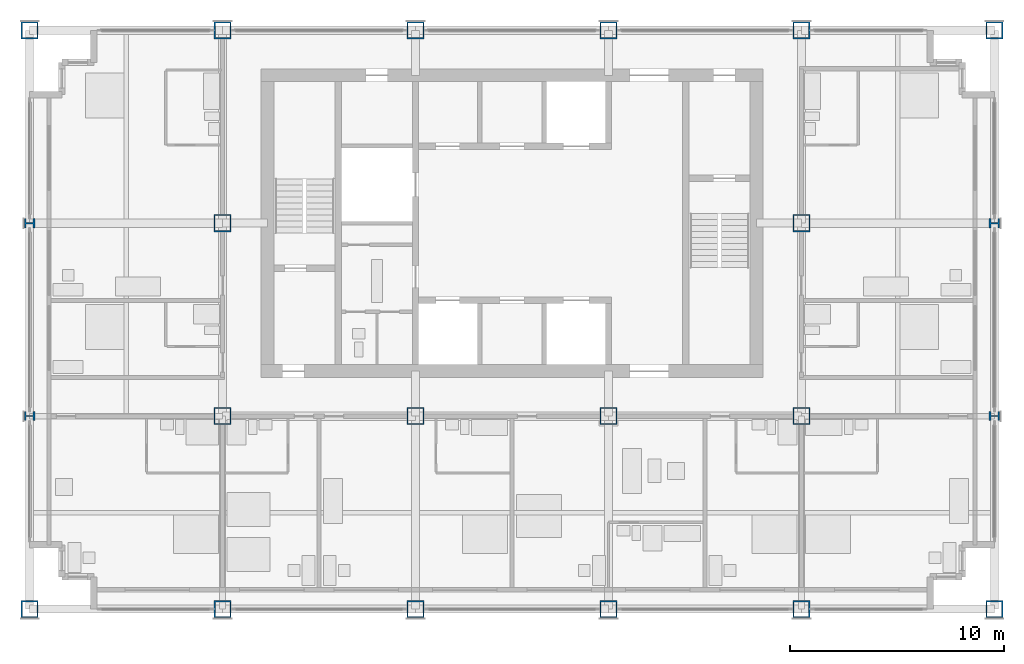
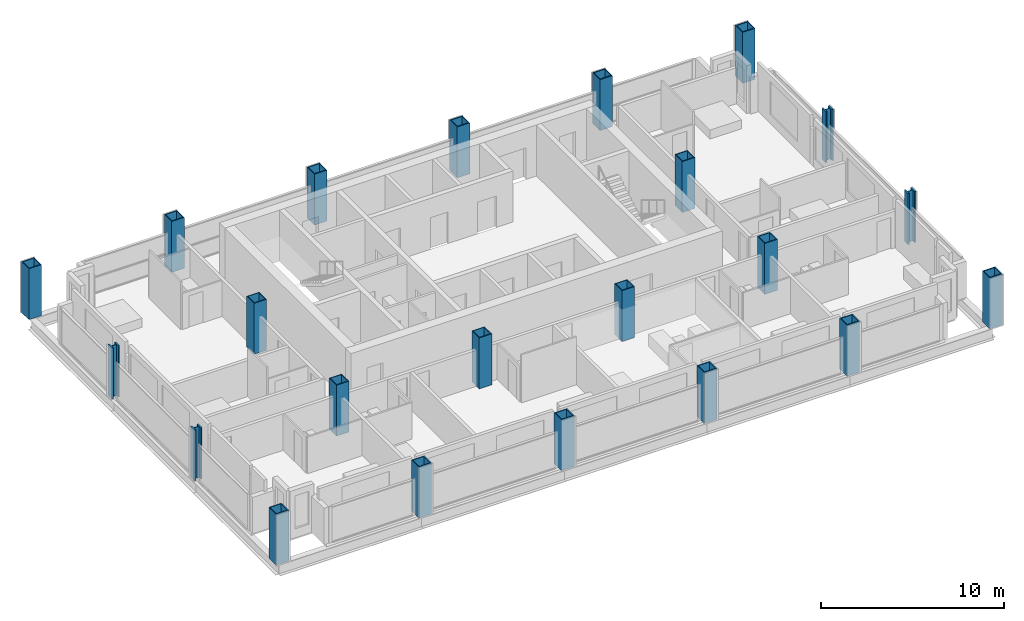
# One storey, part 1 of 13: 22 columns.
"""IFC4 building model written with IfcOpenShell, lengths in metres."""

from ifc_helpers import new_model, si_unit, direction, frame, origin, origin_2d, place, context, subcontext, project, spatial, hollow_rectangle, i_section, extrude, material, material_profile, profile_set, type_object, element, save


model = new_model("IFC4")

# Units and contexts
model_context = context("Model", 3, precision=1e-05, world=origin(), true_north=direction((0.0, 1.0)))
body_context = subcontext(model_context, "Body", "Model", "MODEL_VIEW")
ifc_project = project(units=[si_unit("LENGTHUNIT", "METRE"), si_unit("AREAUNIT", "SQUARE_METRE"), si_unit("VOLUMEUNIT", "CUBIC_METRE"), si_unit("PLANEANGLEUNIT", "RADIAN"), si_unit("MASSUNIT", "GRAM", prefix="KILO")], contexts=[model_context])

# Site, building, storey
site_placement = place(None, origin())
site = spatial("IfcSite", under=ifc_project, at=site_placement, CompositionType="ELEMENT")
building_placement = place(site_placement, origin())
building = spatial("IfcBuilding", under=site, at=building_placement, Name="Loomwork Tower", CompositionType="ELEMENT")
storey_placement = place(building_placement, frame((0.0, 0.0, 211.39990234375)))
storey = spatial("IfcBuildingStorey", under=building, at=storey_placement, Name="L58", CompositionType="ELEMENT", Elevation=211.39990234375)

# Columns
ifc_material_1 = material(Name="Steel ASTM A572 Grade 50 plate", Category="steel")
ifc_material_profile_1 = material_profile(ifc_material_1, hollow_rectangle(XDim=0.800048828125, YDim=0.800048828125, WallThickness=0.06005859375, at=origin_2d()), Name="BOX800x60")
ifc_profile_set_1 = profile_set([ifc_material_profile_1], Name="Steel ASTM A572 Grade 50 plate")
column_type_1 = type_object("IfcColumnType", Name="EXOSKELETON PIER BOX800x60", PredefinedType="COLUMN", material=ifc_profile_set_1)
for number, where, z_axis, x_axis, name in (
    (1, (0.0, 0.0, 0.0), (0.0, 0.0, 1.0), (1.0, 0.0, 0.0), "Exoskeleton Pier D/2 L58"),
    (2, (0.0, 27.0, 0.0), (0.0, 0.0, 1.0), (0.0, 1.0, 0.0), "Exoskeleton Pier G/2 L58"),
    (3, (9.0, 0.0, 0.0), (0.0, 0.0, 1.0), (1.0, 0.0, 0.0), "Exoskeleton Pier D/3 L58"),
    (4, (9.0, 27.0, 0.0), (0.0, 0.0, 1.0), (1.0, 0.0, 0.0), "Exoskeleton Pier G/3 L58"),
    (5, (18.0, 0.0, 0.0), (0.0, 0.0, 1.0), (1.0, 0.0, 0.0), "Exoskeleton Pier D/4 L58"),
    (6, (18.0, 27.0, 0.0), (0.0, 0.0, 1.0), (1.0, 0.0, 0.0), "Exoskeleton Pier G/4 L58"),
    (7, (27.0, 0.0, 0.0), (0.0, 0.0, 1.0), (1.0, 0.0, 0.0), "Exoskeleton Pier D/5 L58"),
    (8, (27.0, 27.0, 0.0), (0.0, 0.0, 1.0), (1.0, 0.0, 0.0), "Exoskeleton Pier G/5 L58"),
    (9, (36.0, 0.0, 0.0), (0.0, 0.0, 1.0), (1.0, 0.0, 0.0), "Exoskeleton Pier D/6 L58"),
    (10, (36.0, 27.0, 0.0), (0.0, 0.0, 1.0), (1.0, 0.0, 0.0), "Exoskeleton Pier G/6 L58"),
    (11, (45.0, 0.0, 0.0), (0.0, 0.0, 1.0), (1.0, 0.0, 0.0), "Exoskeleton Pier D/7 L58"),
    (12, (45.0, 27.0, 0.0), (0.0, 0.0, 1.0), (0.0, 1.0, 0.0), "Exoskeleton Pier G/7 L58"),
):
    element("IfcColumn", number, at=place(storey_placement, frame(where, z_axis=z_axis, x_axis=x_axis)), inside=storey, type_object=column_type_1, Name=name, PredefinedType="COLUMN", context=body_context, shape_type="SweptSolid", body=[
        extrude(hollow_rectangle(XDim=0.800048828125, YDim=0.800048828125, WallThickness=0.06005859375, at=origin_2d()), origin(), (0.0, 0.0, 1.0), 3.400146484375),
    ])
ifc_material_2 = material(Name="Steel ASTM A992", Category="steel")
ifc_material_profile_2 = material_profile(ifc_material_2, i_section(OverallWidth=0.4267578125, OverallDepth=0.482666015625, WebThickness=0.05126953125, FlangeThickness=0.08154296875, at=origin_2d()), Name="W14x455")
ifc_profile_set_2 = profile_set([ifc_material_profile_2], Name="Steel ASTM A992")
column_type_2 = type_object("IfcColumnType", Name="EXOSKELETON PIER W14x455", PredefinedType="COLUMN", material=ifc_profile_set_2)
for number, where, z_axis, x_axis, name in (
    (13, (0.0, 9.0, 0.0), (0.0, 0.0, 1.0), (0.0, 1.0, 0.0), "Exoskeleton Pier E/2 L58"),
    (14, (0.0, 18.0, 0.0), (0.0, 0.0, 1.0), (0.0, 1.0, 0.0), "Exoskeleton Pier F/2 L58"),
    (15, (45.0, 9.0, 0.0), (0.0, 0.0, 1.0), (0.0, 1.0, 0.0), "Exoskeleton Pier E/7 L58"),
    (16, (45.0, 18.0, 0.0), (0.0, 0.0, 1.0), (0.0, 1.0, 0.0), "Exoskeleton Pier F/7 L58"),
):
    element("IfcColumn", number, at=place(storey_placement, frame(where, z_axis=z_axis, x_axis=x_axis)), inside=storey, type_object=column_type_2, Name=name, PredefinedType="COLUMN", context=body_context, shape_type="SweptSolid", body=[
        extrude(i_section(OverallWidth=0.4267578125, OverallDepth=0.482666015625, WebThickness=0.05126953125, FlangeThickness=0.08154296875, at=origin_2d()), origin(), (0.0, 0.0, 1.0), 3.400146484375),
    ])
ifc_material_3 = material(Name="Steel ASTM A572 Grade 50 plate", Category="steel")
ifc_material_profile_3 = material_profile(ifc_material_3, hollow_rectangle(XDim=0.800048828125, YDim=0.800048828125, WallThickness=0.050048828125, at=origin_2d()), Name="BOX800x50")
ifc_profile_set_3 = profile_set([ifc_material_profile_3], Name="Steel ASTM A572 Grade 50 plate")
column_type_3 = type_object("IfcColumnType", Name="TOWER COLUMN BOX800x50", PredefinedType="COLUMN", material=ifc_profile_set_3)
for number, where, z_axis, x_axis, name in (
    (17, (9.0, 9.0, 0.0), (0.0, 0.0, 1.0), (1.0, 0.0, 0.0), "Tower Column E/3 L58"),
    (18, (9.0, 18.0, 0.0), (0.0, 0.0, 1.0), (1.0, 0.0, 0.0), "Tower Column F/3 L58"),
    (19, (18.0, 9.0, 0.0), (0.0, 0.0, 1.0), (1.0, 0.0, 0.0), "Tower Column E/4 L58"),
    (20, (27.0, 9.0, 0.0), (0.0, 0.0, 1.0), (1.0, 0.0, 0.0), "Tower Column E/5 L58"),
    (21, (36.0, 9.0, 0.0), (0.0, 0.0, 1.0), (0.0, 1.0, 0.0), "Tower Column E/6 L58"),
    (22, (36.0, 18.0, 0.0), (0.0, 0.0, 1.0), (0.0, 1.0, 0.0), "Tower Column F/6 L58"),
):
    element("IfcColumn", number, at=place(storey_placement, frame(where, z_axis=z_axis, x_axis=x_axis)), inside=storey, type_object=column_type_3, Name=name, PredefinedType="COLUMN", context=body_context, shape_type="SweptSolid", body=[
        extrude(hollow_rectangle(XDim=0.800048828125, YDim=0.800048828125, WallThickness=0.050048828125, at=origin_2d()), origin(), (0.0, 0.0, 1.0), 3.400146484375),
    ])

save(model, "model.ifc")
